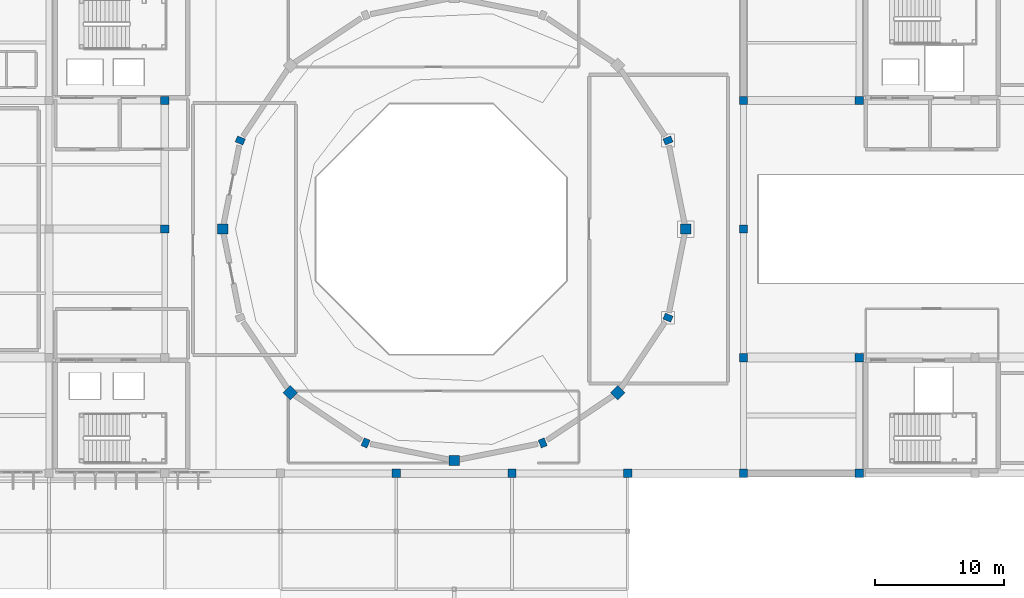
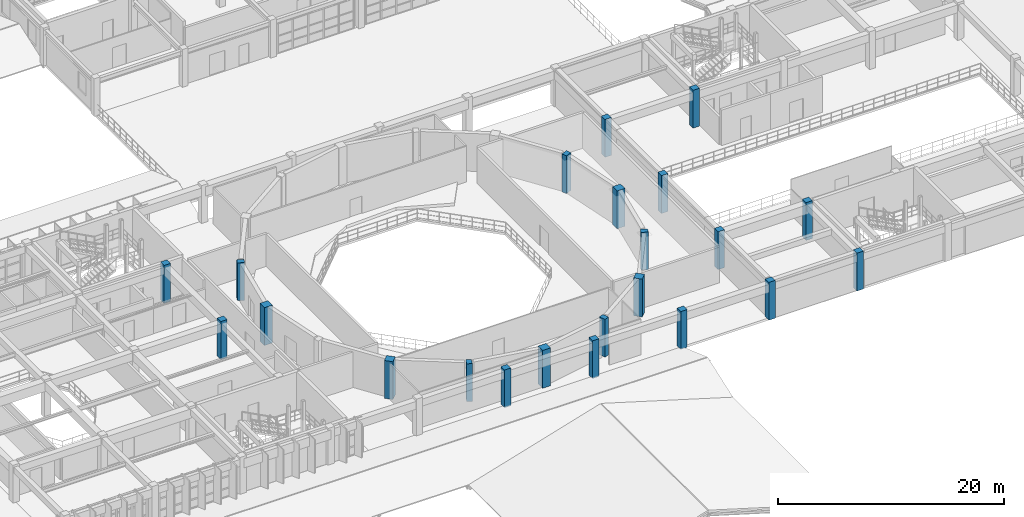
# One storey, part 2 of 80: 22 columns.
"""IFC4 building model written with IfcOpenShell, lengths in metres."""

from ifc_helpers import new_model, si_unit, direction, frame, origin, origin_2d, place, context, subcontext, project, spatial, rectangle, extrude, material, material_profile, profile_set, type_object, element, save


model = new_model("IFC4")

# Units and contexts
model_context = context("Model", 3, precision=1e-05, world=origin(), true_north=direction((0.0, 1.0)))
body_context = subcontext(model_context, "Body", "Model", "MODEL_VIEW")
ifc_project = project(units=[si_unit("LENGTHUNIT", "METRE"), si_unit("AREAUNIT", "SQUARE_METRE"), si_unit("VOLUMEUNIT", "CUBIC_METRE"), si_unit("PLANEANGLEUNIT", "RADIAN"), si_unit("MASSUNIT", "GRAM", prefix="KILO")], contexts=[model_context])

# Site, building, storey
site_placement = place(None, origin())
site = spatial("IfcSite", under=ifc_project, at=site_placement, CompositionType="ELEMENT")
building_placement = place(site_placement, origin())
building = spatial("IfcBuilding", under=site, at=building_placement, Name="Miravela Opera House", CompositionType="ELEMENT")
storey_placement = place(building_placement, frame((0.0, 0.0, 17.679931640625)))
storey = spatial("IfcBuildingStorey", under=building, at=storey_placement, Name="L04", CompositionType="ELEMENT", Elevation=17.679931640625)

# Columns
ifc_material_1 = material(Name="Concrete C35/45", Category="concrete")
ifc_material_profile_1 = material_profile(ifc_material_1, rectangle(XDim=0.64990234375, YDim=0.64990234375, at=origin_2d()), Name="RC-COL-650X650")
ifc_profile_set_1 = profile_set([ifc_material_profile_1])
column_type_1 = type_object("IfcColumnType", Name="STR-COL-RC650", PredefinedType="COLUMN", material=ifc_profile_set_1)
for number, where, z_axis, x_axis, name in (
    (1, (81.0, 37.0, 0.0), (0.0, 0.0, 1.0), (1.0, 0.0, 0.0), "Column C-10E (L04)"),
    (2, (90.0, 37.0, 0.0), (0.0, 0.0, 1.0), (1.0, 0.0, 0.0), "Column C-11E (L04)"),
    (3, (99.0, 37.0, 0.0), (0.0, 0.0, 1.0), (1.0, 0.0, 0.0), "Column C-12E (L04)"),
    (4, (99.0, 46.0, 0.0), (0.0, 0.0, 1.0), (1.0, 0.0, 0.0), "Column C-12F (L04)"),
    (5, (99.0, 56.0, 0.0), (0.0, 0.0, 1.0), (1.0, 0.0, 0.0), "Column C-12G (L04)"),
    (6, (99.0, 66.0, 0.0), (0.0, 0.0, 1.0), (1.0, 0.0, 0.0), "Column C-12H (L04)"),
    (7, (108.0, 37.0, 0.0), (0.0, 0.0, 1.0), (1.0, 0.0, 0.0), "Column C-13E (L04)"),
    (8, (108.0, 46.0, 0.0), (0.0, 0.0, 1.0), (1.0, 0.0, 0.0), "Column C-13F (L04)"),
    (9, (108.0, 66.0, 0.0), (0.0, 0.0, 1.0), (1.0, 0.0, 0.0), "Column C-13H (L04)"),
    (10, (54.0, 56.0, 0.0), (0.0, 0.0, 1.0), (1.0, 0.0, 0.0), "Column C-7G (L04)"),
    (11, (54.0, 66.0, 0.0), (0.0, 0.0, 1.0), (1.0, 0.0, 0.0), "Column C-7H (L04)"),
    (12, (72.0, 37.0, 0.0), (0.0, 0.0, 1.0), (1.0, 0.0, 0.0), "Column C-9E (L04)"),
):
    element("IfcColumn", number, at=place(storey_placement, frame(where, z_axis=z_axis, x_axis=x_axis)), inside=storey, type_object=column_type_1, Name=name, PredefinedType="COLUMN", context=body_context, shape_type="SweptSolid", body=[
        extrude(rectangle(XDim=0.64990234375, YDim=0.64990234375, at=origin_2d()), origin(), (0.0, 0.0, 1.0), 4.080078125),
    ])
ifc_material_profile_2 = material_profile(ifc_material_1, rectangle(XDim=0.64990234375, YDim=0.5, at=origin_2d()), Name="RC-PIL-650X500")
ifc_profile_set_2 = profile_set([ifc_material_profile_2])
column_type_2 = type_object("IfcColumnType", Name="STR-PIL-RC650X500", PredefinedType="PILASTER", material=ifc_profile_set_2)
for number, where, z_axis, x_axis, name in (
    (13, (93.1298828125, 62.88818359375, 0.0), (0.0, 0.0, 1.0), (0.923879532511, 0.382683432365, 0.0), "Auditorium Drum Column DC-02 (L04)"),
    (14, (59.8701171875, 62.88818359375, 0.0), (0.0, 0.0, 1.0), (-0.923879532511, 0.382683432365, 0.0), "Auditorium Drum Column DC-08 (L04)"),
    (15, (69.61181640625, 39.3701171875, 0.0), (0.0, 0.0, 1.0), (-0.382683432365, -0.923879532511, 0.0), "Auditorium Drum Column DC-12 (L04)"),
    (16, (83.38818359375, 39.3701171875, 0.0), (0.0, 0.0, 1.0), (0.382683432365, -0.923879532511, 0.0), "Auditorium Drum Column DC-14 (L04)"),
    (17, (93.1298828125, 49.11181640625, 0.0), (0.0, 0.0, 1.0), (0.923879532511, -0.382683432365, 0.0), "Auditorium Drum Column DC-16 (L04)"),
):
    element("IfcColumn", number, at=place(storey_placement, frame(where, z_axis=z_axis, x_axis=x_axis)), inside=storey, type_object=column_type_2, Name=name, PredefinedType="PILASTER", context=body_context, shape_type="SweptSolid", body=[
        extrude(rectangle(XDim=0.64990234375, YDim=0.5, at=origin_2d()), origin(), (0.0, 0.0, 1.0), 4.080078125),
    ])
ifc_material_2 = material(Name="Concrete C40/50", Category="concrete")
ifc_material_profile_3 = material_profile(ifc_material_2, rectangle(XDim=0.800048828125, YDim=0.800048828125, at=origin_2d()), Name="RC-COL-800X800")
ifc_profile_set_3 = profile_set([ifc_material_profile_3])
column_type_3 = type_object("IfcColumnType", Name="STR-PIL-RC800", PredefinedType="PILASTER", material=ifc_profile_set_3)
for number, where, z_axis, x_axis, name in (
    (18, (94.5, 56.0, 0.0), (0.0, 0.0, 1.0), (1.0, 0.0, 0.0), "Auditorium Drum Column DC-01 (L04)"),
    (19, (58.5, 56.0, 0.0), (0.0, 0.0, 1.0), (-1.0, 0.0, 0.0), "Auditorium Drum Column DC-09 (L04)"),
    (20, (63.772216796875, 43.272216796875, 0.0), (0.0, 0.0, 1.0), (-0.707106781187, -0.707106781187, 0.0), "Auditorium Drum Column DC-11 (L04)"),
    (21, (76.5, 38.0, 0.0), (0.0, 0.0, 1.0), (0.0, -1.0, 0.0), "Auditorium Drum Column DC-13 (L04)"),
    (22, (89.227783203125, 43.272216796875, 0.0), (0.0, 0.0, 1.0), (0.707106781187, -0.707106781187, 0.0), "Auditorium Drum Column DC-15 (L04)"),
):
    element("IfcColumn", number, at=place(storey_placement, frame(where, z_axis=z_axis, x_axis=x_axis)), inside=storey, type_object=column_type_3, Name=name, PredefinedType="PILASTER", context=body_context, shape_type="SweptSolid", body=[
        extrude(rectangle(XDim=0.800048828125, YDim=0.800048828125, at=origin_2d()), origin(), (0.0, 0.0, 1.0), 4.080078125),
    ])

save(model, "model.ifc")
